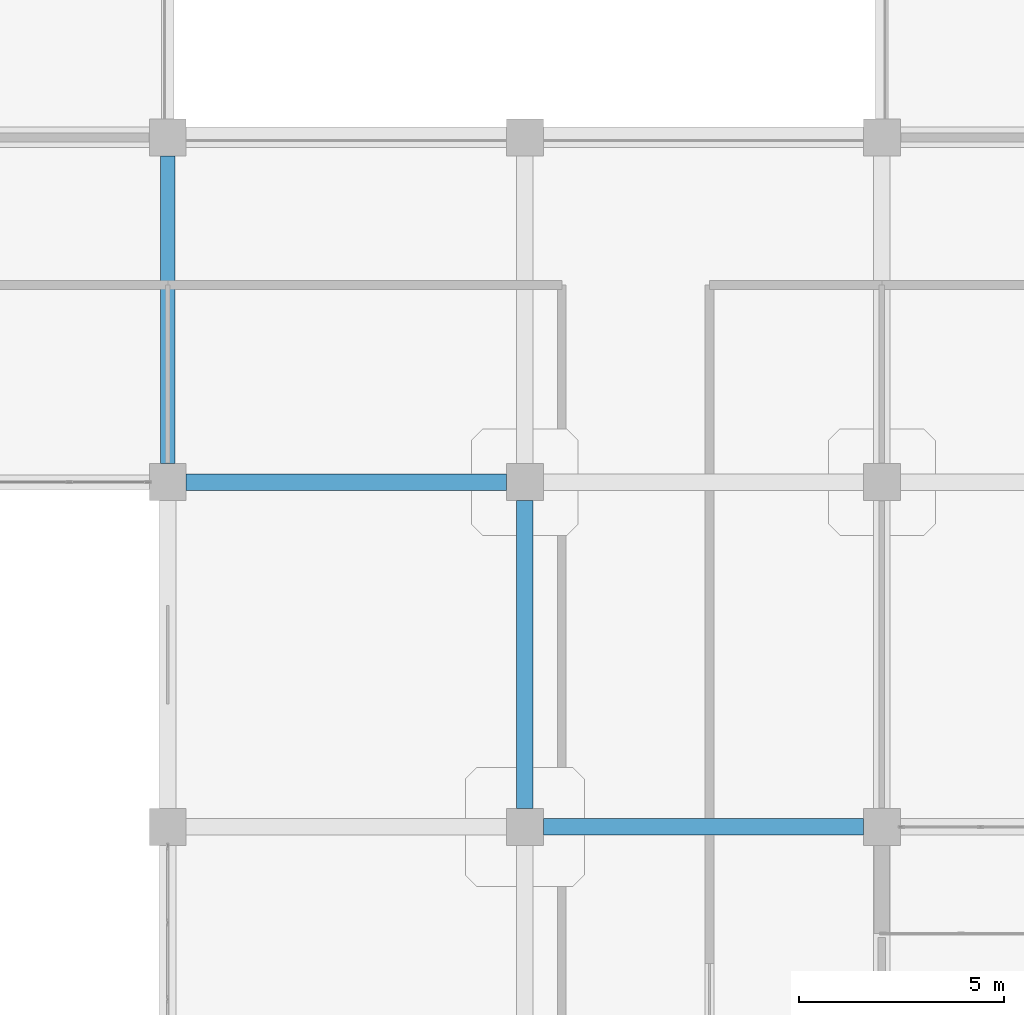
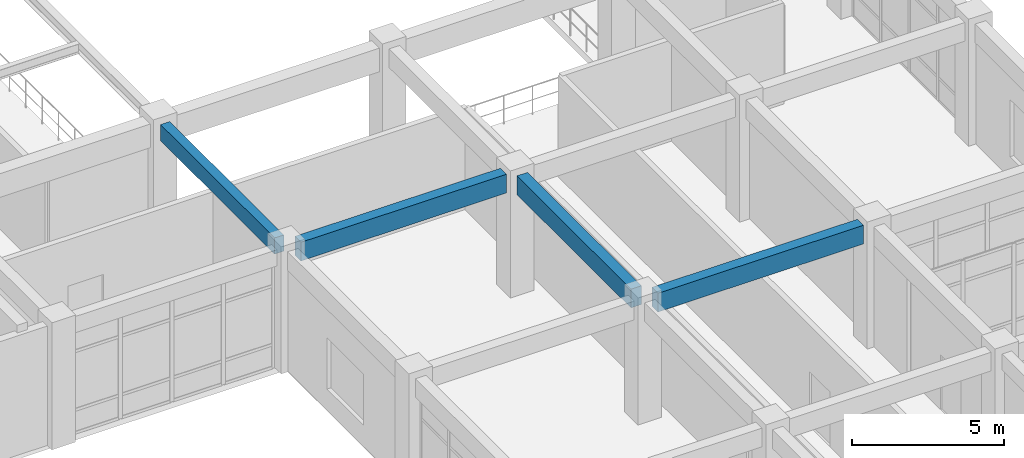
# One storey, part 43 of 120: 4 beams.
"""IFC4 building model written with IfcOpenShell, lengths in metres."""

from ifc_helpers import new_model, si_unit, derived_unit, direction, frame, origin, origin_2d, place, context, subcontext, project, spatial, rectangle, extrude, material, material_profile, profile_set, type_object, element, save


model = new_model("IFC4")

# Units and contexts
model_context = context("Model", 3, precision=1e-05, world=origin(), true_north=direction((0.0, 1.0)))
body_context = subcontext(model_context, "Body", "Model", "MODEL_VIEW")
ifc_project = project(units=[si_unit("LENGTHUNIT", "METRE"), si_unit("AREAUNIT", "SQUARE_METRE"), si_unit("VOLUMEUNIT", "CUBIC_METRE"), si_unit("PLANEANGLEUNIT", "RADIAN"), si_unit("MASSUNIT", "GRAM", prefix="KILO"), derived_unit("THERMALTRANSMITTANCEUNIT", [(si_unit("MASSUNIT", "GRAM", prefix="KILO"), 1), (si_unit("TIMEUNIT", "SECOND"), -3), (si_unit("THERMODYNAMICTEMPERATUREUNIT", "KELVIN"), -1)])], contexts=[model_context])

# Site, building, storey
site_placement = place(None, origin())
site = spatial("IfcSite", under=ifc_project, at=site_placement, CompositionType="ELEMENT")
building_placement = place(site_placement, origin())
building = spatial("IfcBuilding", under=site, at=building_placement, Name="Qinzheling Arcade Emporium", CompositionType="ELEMENT")
storey_placement = place(building_placement, frame((0.0, 0.0, 11.39990234375)))
storey = spatial("IfcBuildingStorey", under=building, at=storey_placement, Name="L03", CompositionType="ELEMENT", Elevation=11.39990234375)

# Beams
ifc_material = material(Name="Concrete C40", Category="concrete")
ifc_material_profile_1 = material_profile(ifc_material, rectangle(XDim=0.39990234375, YDim=0.75, at=origin_2d()), Name="RC 400x750", Category="concrete")
ifc_profile_set_1 = profile_set([ifc_material_profile_1], Name="Concrete C40")
beam_type_1 = type_object("IfcBeamType", Name="RC Interior Tie Beam 400x750 C40", PredefinedType="BEAM", material=ifc_profile_set_1)
beam_1_placement = place(storey_placement, frame((113.550048828125, 33.60009765625, 4.445068359375), z_axis=(1.0, 0.0, 0.0), x_axis=(0.0, 1.0, 0.0)))
element("IfcBeam", 1, at=beam_1_placement, inside=storey, type_object=beam_type_1, Name="Beam BM-L03-X-E-14", PredefinedType="BEAM", context=body_context, shape_type="SweptSolid", body=[
    extrude(rectangle(XDim=0.39990234375, YDim=0.75, at=origin_2d()), origin(), (0.0, 0.0, 1.0), 7.800048828125),
])
beam_2_placement = place(storey_placement, frame((104.85009765625, 42.0, 4.445068359375), z_axis=(1.0, 0.0, 0.0), x_axis=(0.0, 1.0, 0.0)))
element("IfcBeam", 2, at=beam_2_placement, inside=storey, type_object=beam_type_1, Name="Beam BM-L03-X-F-13", PredefinedType="BEAM", context=body_context, shape_type="SweptSolid", body=[
    extrude(rectangle(XDim=0.39990234375, YDim=0.75, at=origin_2d()), origin(), (0.0, 0.0, 1.0), 7.7998046875),
])
beam_3_placement = place(storey_placement, frame((113.10009765625, 34.050048828125, 4.445068359375), z_axis=(0.0, 1.0, 0.0), x_axis=(-1.0, 0.0, 0.0)))
element("IfcBeam", 3, at=beam_3_placement, inside=storey, type_object=beam_type_1, Name="Beam BM-L03-Y-14-E", PredefinedType="BEAM", context=body_context, shape_type="SweptSolid", body=[
    extrude(rectangle(XDim=0.39990234375, YDim=0.75, at=origin_2d()), origin(), (0.0, 0.0, 1.0), 7.5),
])
ifc_material_profile_2 = material_profile(ifc_material, rectangle(XDim=0.35009765625, YDim=0.64990234375, at=origin_2d()), Name="RC 350x650", Category="concrete")
ifc_profile_set_2 = profile_set([ifc_material_profile_2], Name="Concrete C40")
beam_type_2 = type_object("IfcBeamType", Name="RC Spandrel Edge Beam 350x650 C40", PredefinedType="SPANDREL", material=ifc_profile_set_2)
beam_4_placement = place(storey_placement, frame((104.39990234375, 42.449951171875, 4.4951171875), z_axis=(0.0, 1.0, 0.0), x_axis=(-1.0, 0.0, 0.0)))
element("IfcBeam", 4, at=beam_4_placement, inside=storey, type_object=beam_type_2, Name="Beam BM-L03-Y-13-F", PredefinedType="SPANDREL", context=body_context, shape_type="SweptSolid", body=[
    extrude(rectangle(XDim=0.35009765625, YDim=0.64990234375, at=origin_2d()), origin(), (0.0, 0.0, 1.0), 7.5),
])

save(model, "model.ifc")
